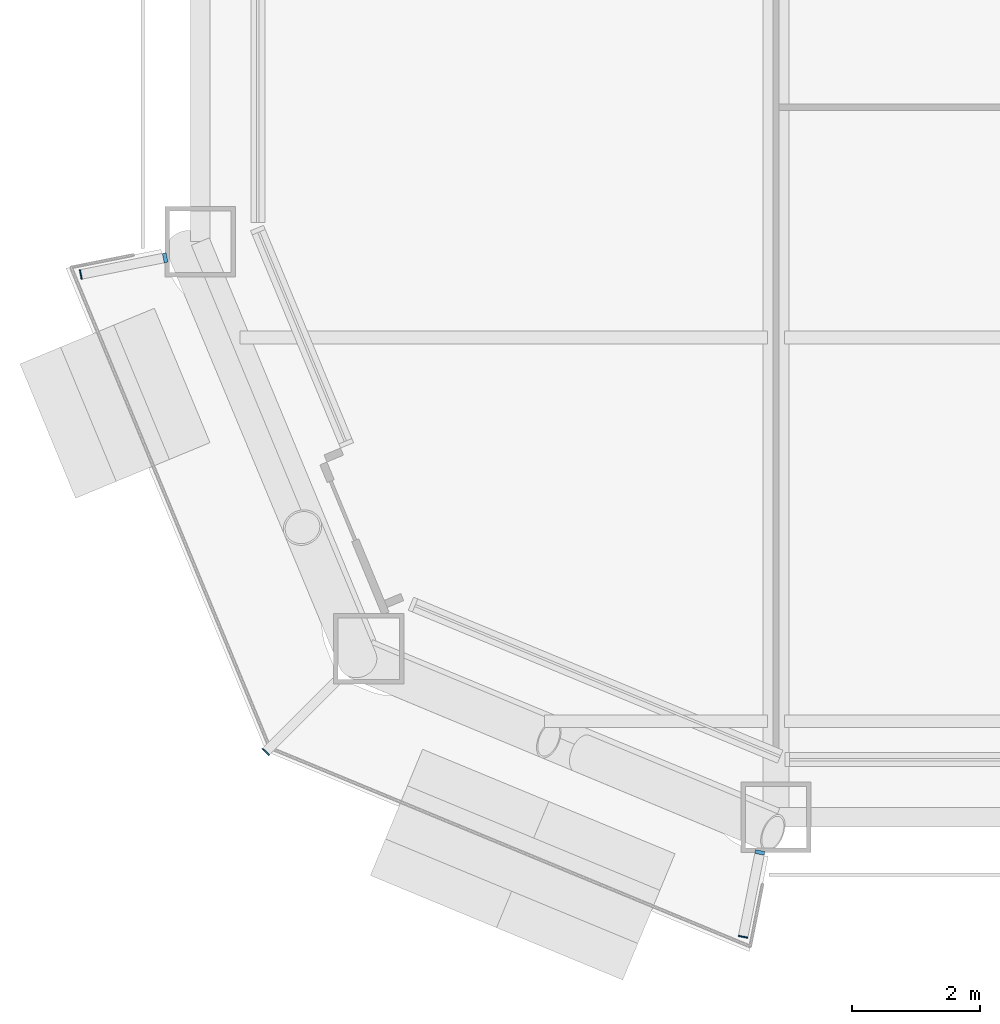
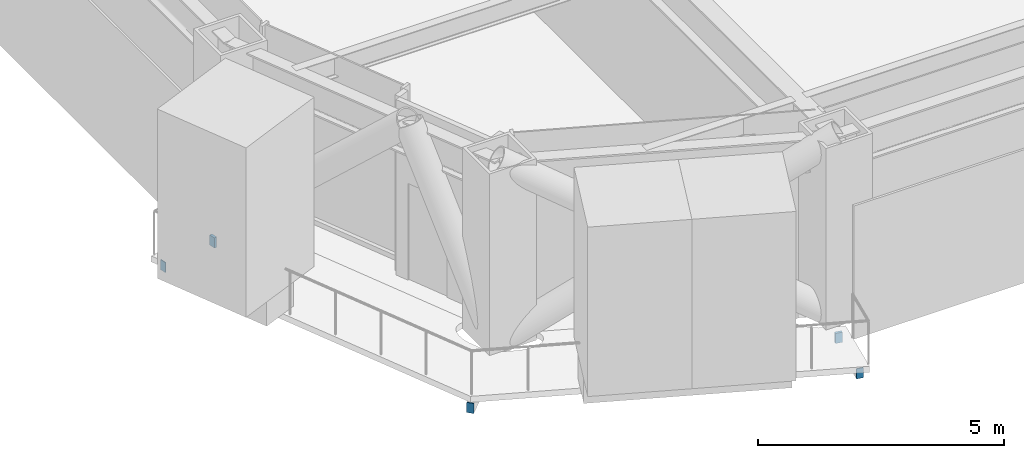
# One storey, part 18 of 27: 5 discrete accessories.
"""IFC4 building model written with IfcOpenShell, lengths in metres."""

from ifc_helpers import new_model, si_unit, direction, frame, origin, origin_2d, place, context, subcontext, project, spatial, rectangle, extrude, material, layer, layer_set, type_object, element, save


model = new_model("IFC4")

# Units and contexts
model_context = context("Model", 3, precision=1e-05, world=origin(), true_north=direction((0.0, 1.0)))
body_context = subcontext(model_context, "Body", "Model", "MODEL_VIEW")
ifc_project = project(units=[si_unit("LENGTHUNIT", "METRE"), si_unit("AREAUNIT", "SQUARE_METRE"), si_unit("VOLUMEUNIT", "CUBIC_METRE"), si_unit("PLANEANGLEUNIT", "RADIAN"), si_unit("MASSUNIT", "GRAM", prefix="KILO")], contexts=[model_context])

# Site, building, storey
site_placement = place(None, origin())
site = spatial("IfcSite", under=ifc_project, at=site_placement, CompositionType="ELEMENT")
building_placement = place(site_placement, origin())
building = spatial("IfcBuilding", under=site, at=building_placement, Name="Siwar Civic Tower", CompositionType="ELEMENT")
storey_placement = place(building_placement, frame((0.0, 0.0, 35.699951171875)))
storey = spatial("IfcBuildingStorey", under=building, at=storey_placement, Name="L07", CompositionType="ELEMENT", Elevation=35.699951171875)

# Discrete accessories
ifc_material_1 = material(Name="Stainless steel 316", Category="steel")
discrete_accessory_type_1 = type_object("IfcDiscreteAccessoryType", Name="ENV-BRACKET", PredefinedType="BRACKET", material=ifc_material_1)
for number, where, z_axis, x_axis, name in (
    (1, (-32.050048828125, -22.752197265625, -0.39990234375), (0.0, 0.0, 1.0), (-0.980785280403, -0.195090322016, 0.0), "Bracket balcony cantilever beam SW 1"),
    (2, (-22.752197265625, -32.050048828125, -0.39990234375), (0.0, 0.0, 1.0), (-0.195090322016, -0.980785280403, 0.0), "Bracket balcony cantilever beam SW 3"),
):
    element("IfcDiscreteAccessory", number, at=place(storey_placement, frame(where, z_axis=z_axis, x_axis=x_axis)), inside=storey, type_object=discrete_accessory_type_1, Name=name, PredefinedType="BRACKET", context=body_context, shape_type="SweptSolid", body=[
        extrude(rectangle(XDim=0.06005859375, YDim=0.14990234375, at=origin_2d()), origin(), (0.0, 0.0, 1.0), 0.25),
    ])
ifc_material_2 = material(Name="Steel S355", Category="steel")
ifc_layer = layer(ifc_material_2, 0.02001953125)
ifc_layer_set = layer_set([ifc_layer], Name="Steel S355")
discrete_accessory_type_2 = type_object("IfcDiscreteAccessoryType", Name="STR-END-CAP", PredefinedType="USERDEFINED", material=ifc_layer_set)
for number, where, z_axis, x_axis, name in (
    (3, (-33.36865234375, -23.014404296875, -0.39990234375), (0.0, 0.0, 1.0), (-0.980785280277, -0.195090322649, 0.0), "End cap plate Balcony cantilever beam SW 1"),
    (4, (-30.478271484375, -30.478271484375, -0.39990234375), (0.0, 0.0, 1.0), (-0.707106781187, -0.707106781187, 0.0), "End cap plate Balcony cantilever beam SW 2"),
    (5, (-23.014404296875, -33.36865234375, -0.39990234375), (0.0, 0.0, 1.0), (-0.195090322649, -0.980785280277, 0.0), "End cap plate Balcony cantilever beam SW 3"),
):
    element("IfcDiscreteAccessory", number, at=place(storey_placement, frame(where, z_axis=z_axis, x_axis=x_axis)), inside=storey, type_object=discrete_accessory_type_2, Name=name, ObjectType="END CAP PLATE", PredefinedType="USERDEFINED", context=body_context, shape_type="SweptSolid", body=[
        extrude(rectangle(XDim=0.02001953125, YDim=0.14990234375, at=origin_2d()), origin(), (0.0, 0.0, 1.0), 0.25),
    ])

save(model, "model.ifc")
